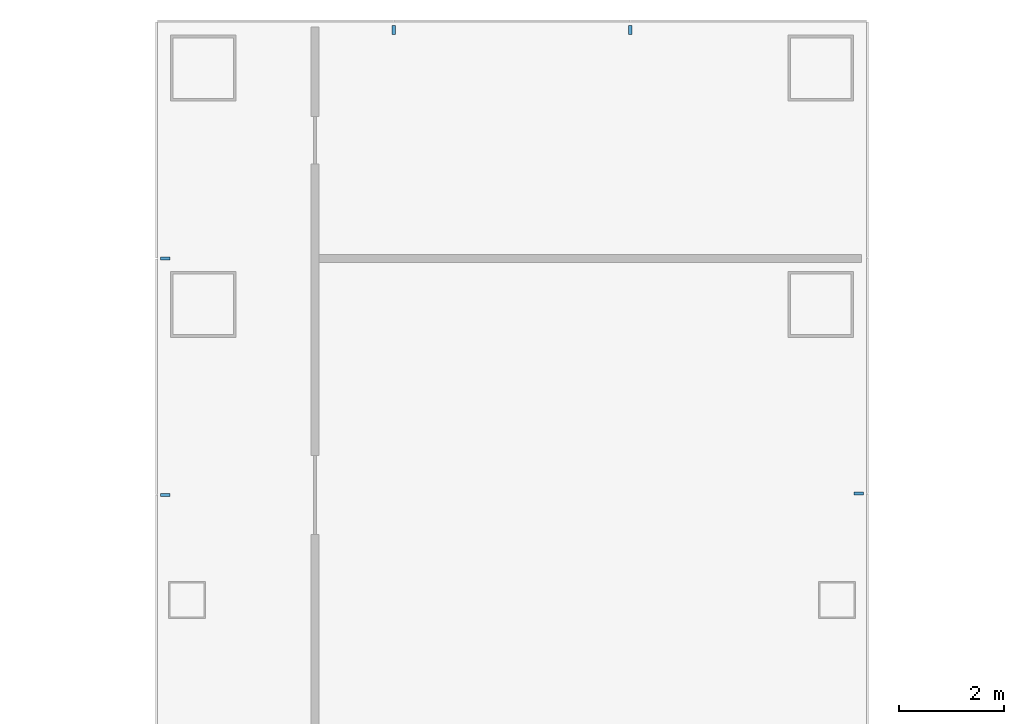
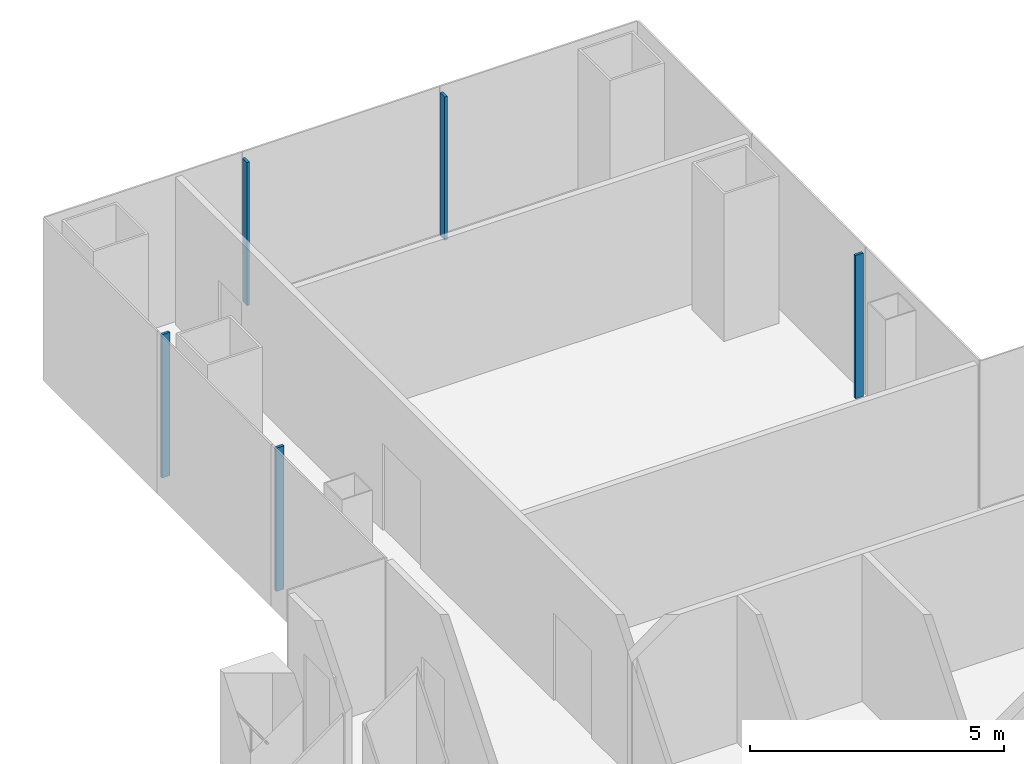
# One storey, part 8 of 20: 5 members, 3 elements without a shape of their own.
"""IFC4 building model written with IfcOpenShell, lengths in metres."""

from ifc_helpers import new_model, si_unit, direction, frame, origin, origin_2d, place, context, subcontext, project, spatial, rectangle, extrude, material, layer, layer_set, material_profile, profile_set, type_object, element, aggregate, save


model = new_model("IFC4")

# Units and contexts
model_context = context("Model", 3, precision=1e-05, world=origin(), true_north=direction((0.0, 1.0)))
body_context = subcontext(model_context, "Body", "Model", "MODEL_VIEW")
ifc_project = project(units=[si_unit("LENGTHUNIT", "METRE"), si_unit("AREAUNIT", "SQUARE_METRE"), si_unit("VOLUMEUNIT", "CUBIC_METRE"), si_unit("PLANEANGLEUNIT", "RADIAN"), si_unit("MASSUNIT", "GRAM", prefix="KILO")], contexts=[model_context])

# Site, building, storey
site_placement = place(None, origin())
site = spatial("IfcSite", under=ifc_project, at=site_placement, CompositionType="ELEMENT")
building_placement = place(site_placement, origin())
building = spatial("IfcBuilding", under=site, at=building_placement, Name="Shamsa Quay Exchange Towers", CompositionType="ELEMENT")
storey_placement = place(building_placement, frame((0.0, 0.0, 109.199951171875)))
storey = spatial("IfcBuildingStorey", under=building, at=storey_placement, Name="L25", CompositionType="ELEMENT", Elevation=109.199951171875)

# Curtain wall, member
ifc_material = material(Name="Aluminium EN AW-6063 T6, black anodised", Category="aluminium")
ifc_layer = layer(ifc_material, 0.280029296875)
ifc_layer_set = layer_set([ifc_layer], Name="CW-1 UNITISED VISION GLASS")
curtain_wall_type = type_object("IfcCurtainWallType", Name="CW-1 UNITISED VISION GLASS", PredefinedType="NOTDEFINED", material=ifc_layer_set)
curtain_wall_1_placement = place(storey_placement, origin())
curtain_wall_1 = element("IfcCurtainWall", 1, at=curtain_wall_1_placement, inside=storey, type_object=curtain_wall_type, Name="CW1 T2-FLK-U+S L25", PredefinedType="NOTDEFINED")
ifc_material_profile = material_profile(ifc_material, rectangle(XDim=0.179931640625, YDim=0.06005859375, at=origin_2d()), Name="MU60x180")
ifc_profile_set = profile_set([ifc_material_profile], Name="Aluminium EN AW-6063 T6, black anodised")
member_type = type_object("IfcMemberType", Name="CW1 MULLION 60x180", PredefinedType="MULLION", material=ifc_profile_set)
member_1_placement = place(storey_placement, frame((40.35009765625, 15.775390625, 0.0), z_axis=(0.0, 0.0, 1.0), x_axis=(-1.0, 0.0, 0.0)))
member_1 = element("IfcMember", 2, at=member_1_placement, type_object=member_type, Name="CW1 mullion", PredefinedType="MULLION", context=body_context, shape_type="SweptSolid", body=[
    extrude(rectangle(XDim=0.179931640625, YDim=0.06005859375, at=origin_2d()), origin(), (0.0, 0.0, 1.0), 3.449951171875),
])
aggregate(curtain_wall_1, [member_1])

# Curtain wall, members
curtain_wall_2_placement = place(storey_placement, origin())
curtain_wall_2 = element("IfcCurtainWall", 3, at=curtain_wall_2_placement, inside=storey, type_object=curtain_wall_type, Name="CW1 T2-END-U+ L25", PredefinedType="NOTDEFINED")
member_2_placement = place(storey_placement, frame((36.0, 24.60009765625, 0.0), z_axis=(0.0, 0.0, 1.0), x_axis=(0.0, -1.0, 0.0)))
member_2 = element("IfcMember", 4, at=member_2_placement, type_object=member_type, Name="CW1 mullion", PredefinedType="MULLION", context=body_context, shape_type="SweptSolid", body=[
    extrude(rectangle(XDim=0.179931640625, YDim=0.06005859375, at=origin_2d()), origin(), (0.0, 0.0, 1.0), 3.449951171875),
])
member_3_placement = place(storey_placement, frame((31.5, 24.60009765625, 0.0), z_axis=(0.0, 0.0, 1.0), x_axis=(0.0, -1.0, 0.0)))
member_3 = element("IfcMember", 5, at=member_3_placement, type_object=member_type, Name="CW1 mullion", PredefinedType="MULLION", context=body_context, shape_type="SweptSolid", body=[
    extrude(rectangle(XDim=0.179931640625, YDim=0.06005859375, at=origin_2d()), origin(), (0.0, 0.0, 1.0), 3.449951171875),
])
aggregate(curtain_wall_2, [member_2, member_3])

curtain_wall_3_placement = place(storey_placement, origin())
curtain_wall_3 = element("IfcCurtainWall", 6, at=curtain_wall_3_placement, inside=storey, type_object=curtain_wall_type, Name="CW1 T2-FLK-U+N L25", PredefinedType="NOTDEFINED")
member_4_placement = place(storey_placement, frame((27.14990234375, 20.25, 0.0)))
member_4 = element("IfcMember", 7, at=member_4_placement, type_object=member_type, Name="CW1 mullion", PredefinedType="MULLION", context=body_context, shape_type="SweptSolid", body=[
    extrude(rectangle(XDim=0.179931640625, YDim=0.06005859375, at=origin_2d()), origin(), (0.0, 0.0, 1.0), 3.449951171875),
])
member_5_placement = place(storey_placement, frame((27.14990234375, 15.75, 0.0)))
member_5 = element("IfcMember", 8, at=member_5_placement, type_object=member_type, Name="CW1 mullion", PredefinedType="MULLION", context=body_context, shape_type="SweptSolid", body=[
    extrude(rectangle(XDim=0.179931640625, YDim=0.06005859375, at=origin_2d()), origin(), (0.0, 0.0, 1.0), 3.449951171875),
])
aggregate(curtain_wall_3, [member_4, member_5])

save(model, "model.ifc")
